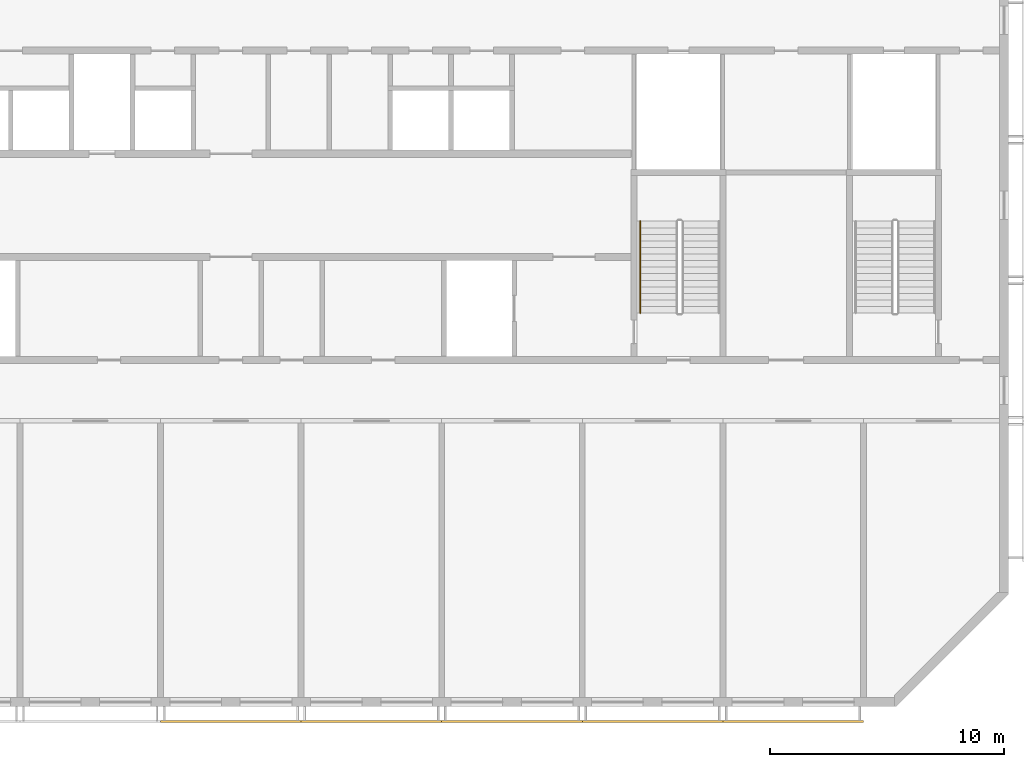
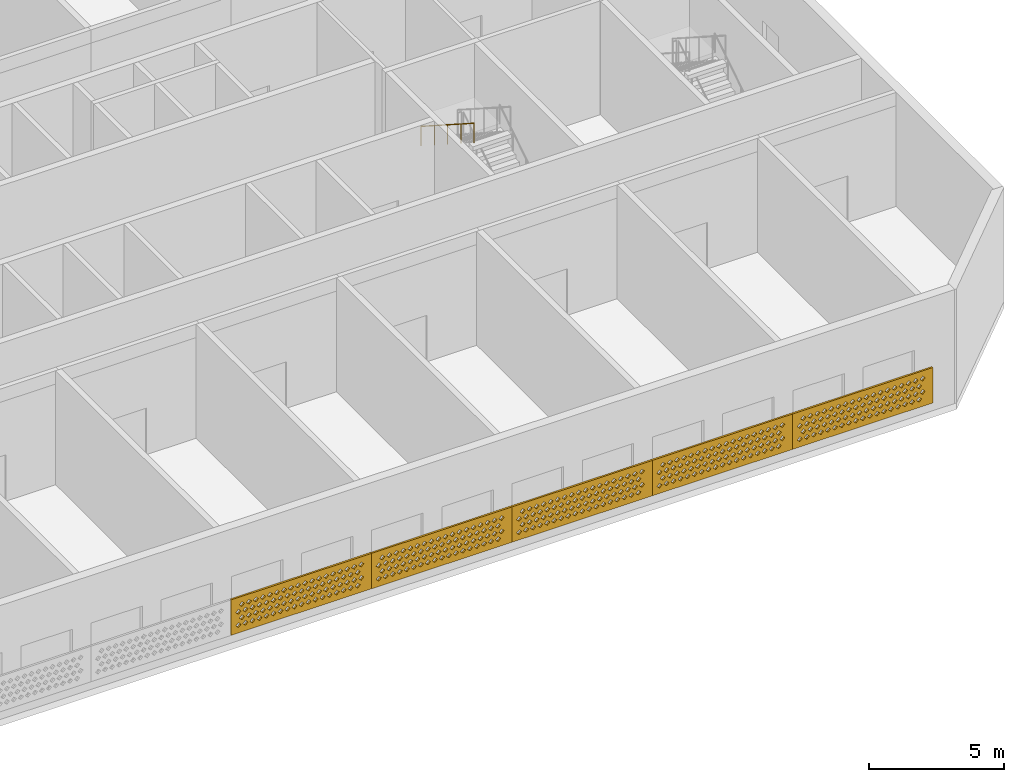
# One storey, part 14 of 18: 5 coverings, 1 railing.
"""IFC4 building model written with IfcOpenShell, lengths in metres."""

from ifc_helpers import new_model, si_unit, direction, frame, origin, origin_2d, place, context, subcontext, project, spatial, polyline, circle, outline, extrude, source, transform, mapped, material, material_profile, profile_set, type_object, element, save


model = new_model("IFC4")

# Units and contexts
model_context = context("Model", 3, precision=1e-05, world=origin(), true_north=direction((0.0, 1.0)))
body_context = subcontext(model_context, "Body", "Model", "MODEL_VIEW")
ifc_project = project(units=[si_unit("LENGTHUNIT", "METRE"), si_unit("AREAUNIT", "SQUARE_METRE"), si_unit("VOLUMEUNIT", "CUBIC_METRE"), si_unit("PLANEANGLEUNIT", "RADIAN"), si_unit("MASSUNIT", "GRAM", prefix="KILO")], contexts=[model_context])

# Site, building, storey
site_placement = place(None, origin())
site = spatial("IfcSite", under=ifc_project, at=site_placement, CompositionType="ELEMENT")
building_placement = place(site_placement, origin())
building = spatial("IfcBuilding", under=site, at=building_placement, Name="Poui Terraces", CompositionType="ELEMENT")
storey_placement = place(building_placement, frame((0.0, 0.0, 267.0)))
storey = spatial("IfcBuildingStorey", under=building, at=storey_placement, Name="L74", CompositionType="ELEMENT", Elevation=267.0)

# Railing
ifc_material_1 = material(Name="Stainless steel handrail", Category="steel")
railing_type = type_object("IfcRailingType", Name="STAIR HANDRAIL 900", PredefinedType="HANDRAIL", material=ifc_material_1)
railing_placement = place(storey_placement, frame((68.47509765625, 20.52001953125, 2.8798828125)))
element("IfcRailing", 1, at=railing_placement, inside=storey, type_object=railing_type, Name="L74 ST-CE stair handrail 2", PredefinedType="HANDRAIL", context=body_context, shape_type="SweptSolid", body=[
    extrude(circle(Radius=0.02392578125, at=origin_2d()), frame((0.0, 0.0, 0.8759765625), z_axis=(0.0, -0.841171666519, 0.540768182723), x_axis=(1.0, 0.0, 0.0)), (0.0, 0.0, 1.0), 4.66015625),
    extrude(circle(Radius=0.02099609375, at=origin_2d()), origin(), (0.0, 0.0, 1.0), 0.851806640625),
    extrude(circle(Radius=0.02099609375, at=origin_2d()), frame((0.0, -0.97998046875, 0.6298828125)), (0.0, 0.0, 1.0), 0.851806640625),
    extrude(circle(Radius=0.02099609375, at=origin_2d()), frame((0.0, -1.9599609375, 1.260009765625)), (0.0, 0.0, 1.0), 0.851806640625),
    extrude(circle(Radius=0.02099609375, at=origin_2d()), frame((0.0, -2.93994140625, 1.89013671875)), (0.0, 0.0, 1.0), 0.851806640625),
    extrude(circle(Radius=0.02099609375, at=origin_2d()), frame((0.0, -3.919921875, 2.52001953125)), (0.0, 0.0, 1.0), 0.851806640625),
])

# Coverings
ifc_material_2 = material(Name="Terracotta screen", Category="masonry")
ifc_material_profile = material_profile(ifc_material_2, outline(polyline([(-3.0, -0.800048828125), (3.0, -0.800048828125), (3.0, 0.800048828125), (-3.0, 0.800048828125), (-3.0, -0.800048828125)]), holes=[polyline([(-2.800048828125, -0.449951171875), (-2.68994140625, -0.56005859375), (-2.580078125, -0.449951171875), (-2.68994140625, -0.340087890625), (-2.800048828125, -0.449951171875)]), polyline([(-2.5, -0.449951171875), (-2.389892578125, -0.56005859375), (-2.280029296875, -0.449951171875), (-2.389892578125, -0.340087890625), (-2.5, -0.449951171875)]), polyline([(-2.199951171875, -0.449951171875), (-2.090087890625, -0.56005859375), (-1.97998046875, -0.449951171875), (-2.090087890625, -0.340087890625), (-2.199951171875, -0.449951171875)]), polyline([(-1.89990234375, -0.449951171875), (-1.7900390625, -0.56005859375), (-1.679931640625, -0.449951171875), (-1.7900390625, -0.340087890625), (-1.89990234375, -0.449951171875)]), polyline([(-1.60009765625, -0.449951171875), (-1.489990234375, -0.56005859375), (-1.3798828125, -0.449951171875), (-1.489990234375, -0.340087890625), (-1.60009765625, -0.449951171875)]), polyline([(-1.300048828125, -0.449951171875), (-1.18994140625, -0.56005859375), (-1.080078125, -0.449951171875), (-1.18994140625, -0.340087890625), (-1.300048828125, -0.449951171875)]), polyline([(-1.0, -0.449951171875), (-0.889892578125, -0.56005859375), (-0.780029296875, -0.449951171875), (-0.889892578125, -0.340087890625), (-1.0, -0.449951171875)]), polyline([(-0.699951171875, -0.449951171875), (-0.590087890625, -0.56005859375), (-0.47998046875, -0.449951171875), (-0.590087890625, -0.340087890625), (-0.699951171875, -0.449951171875)]), polyline([(-0.39990234375, -0.449951171875), (-0.2900390625, -0.56005859375), (-0.179931640625, -0.449951171875), (-0.2900390625, -0.340087890625), (-0.39990234375, -0.449951171875)]), polyline([(-0.10009765625, -0.449951171875), (0.010009765625, -0.56005859375), (0.1201171875, -0.449951171875), (0.010009765625, -0.340087890625), (-0.10009765625, -0.449951171875)]), polyline([(0.199951171875, -0.449951171875), (0.31005859375, -0.56005859375), (0.419921875, -0.449951171875), (0.31005859375, -0.340087890625), (0.199951171875, -0.449951171875)]), polyline([(0.5, -0.449951171875), (0.610107421875, -0.56005859375), (0.719970703125, -0.449951171875), (0.610107421875, -0.340087890625), (0.5, -0.449951171875)]), polyline([(0.800048828125, -0.449951171875), (0.909912109375, -0.56005859375), (1.02001953125, -0.449951171875), (0.909912109375, -0.340087890625), (0.800048828125, -0.449951171875)]), polyline([(1.10009765625, -0.449951171875), (1.2099609375, -0.56005859375), (1.320068359375, -0.449951171875), (1.2099609375, -0.340087890625), (1.10009765625, -0.449951171875)]), polyline([(1.39990234375, -0.449951171875), (1.510009765625, -0.56005859375), (1.6201171875, -0.449951171875), (1.510009765625, -0.340087890625), (1.39990234375, -0.449951171875)]), polyline([(1.699951171875, -0.449951171875), (1.81005859375, -0.56005859375), (1.919921875, -0.449951171875), (1.81005859375, -0.340087890625), (1.699951171875, -0.449951171875)]), polyline([(2.0, -0.449951171875), (2.110107421875, -0.56005859375), (2.219970703125, -0.449951171875), (2.110107421875, -0.340087890625), (2.0, -0.449951171875)]), polyline([(2.300048828125, -0.449951171875), (2.409912109375, -0.56005859375), (2.52001953125, -0.449951171875), (2.409912109375, -0.340087890625), (2.300048828125, -0.449951171875)]), polyline([(-2.64990234375, -0.14990234375), (-2.5400390625, -0.260009765625), (-2.429931640625, -0.14990234375), (-2.5400390625, -0.0400390625), (-2.64990234375, -0.14990234375)]), polyline([(-2.35009765625, -0.14990234375), (-2.239990234375, -0.260009765625), (-2.1298828125, -0.14990234375), (-2.239990234375, -0.0400390625), (-2.35009765625, -0.14990234375)]), polyline([(-2.050048828125, -0.14990234375), (-1.93994140625, -0.260009765625), (-1.830078125, -0.14990234375), (-1.93994140625, -0.0400390625), (-2.050048828125, -0.14990234375)]), polyline([(-1.75, -0.14990234375), (-1.639892578125, -0.260009765625), (-1.530029296875, -0.14990234375), (-1.639892578125, -0.0400390625), (-1.75, -0.14990234375)]), polyline([(-1.449951171875, -0.14990234375), (-1.340087890625, -0.260009765625), (-1.22998046875, -0.14990234375), (-1.340087890625, -0.0400390625), (-1.449951171875, -0.14990234375)]), polyline([(-1.14990234375, -0.14990234375), (-1.0400390625, -0.260009765625), (-0.929931640625, -0.14990234375), (-1.0400390625, -0.0400390625), (-1.14990234375, -0.14990234375)]), polyline([(-0.85009765625, -0.14990234375), (-0.739990234375, -0.260009765625), (-0.6298828125, -0.14990234375), (-0.739990234375, -0.0400390625), (-0.85009765625, -0.14990234375)]), polyline([(-0.550048828125, -0.14990234375), (-0.43994140625, -0.260009765625), (-0.330078125, -0.14990234375), (-0.43994140625, -0.0400390625), (-0.550048828125, -0.14990234375)]), polyline([(-0.25, -0.14990234375), (-0.139892578125, -0.260009765625), (-0.030029296875, -0.14990234375), (-0.139892578125, -0.0400390625), (-0.25, -0.14990234375)]), polyline([(0.050048828125, -0.14990234375), (0.159912109375, -0.260009765625), (0.27001953125, -0.14990234375), (0.159912109375, -0.0400390625), (0.050048828125, -0.14990234375)]), polyline([(0.35009765625, -0.14990234375), (0.4599609375, -0.260009765625), (0.570068359375, -0.14990234375), (0.4599609375, -0.0400390625), (0.35009765625, -0.14990234375)]), polyline([(0.64990234375, -0.14990234375), (0.760009765625, -0.260009765625), (0.8701171875, -0.14990234375), (0.760009765625, -0.0400390625), (0.64990234375, -0.14990234375)]), polyline([(0.949951171875, -0.14990234375), (1.06005859375, -0.260009765625), (1.169921875, -0.14990234375), (1.06005859375, -0.0400390625), (0.949951171875, -0.14990234375)]), polyline([(1.25, -0.14990234375), (1.360107421875, -0.260009765625), (1.469970703125, -0.14990234375), (1.360107421875, -0.0400390625), (1.25, -0.14990234375)]), polyline([(1.550048828125, -0.14990234375), (1.659912109375, -0.260009765625), (1.77001953125, -0.14990234375), (1.659912109375, -0.0400390625), (1.550048828125, -0.14990234375)]), polyline([(1.85009765625, -0.14990234375), (1.9599609375, -0.260009765625), (2.070068359375, -0.14990234375), (1.9599609375, -0.0400390625), (1.85009765625, -0.14990234375)]), polyline([(2.14990234375, -0.14990234375), (2.260009765625, -0.260009765625), (2.3701171875, -0.14990234375), (2.260009765625, -0.0400390625), (2.14990234375, -0.14990234375)]), polyline([(2.449951171875, -0.14990234375), (2.56005859375, -0.260009765625), (2.669921875, -0.14990234375), (2.56005859375, -0.0400390625), (2.449951171875, -0.14990234375)]), polyline([(-2.800048828125, 0.14990234375), (-2.68994140625, 0.0400390625), (-2.580078125, 0.14990234375), (-2.68994140625, 0.260009765625), (-2.800048828125, 0.14990234375)]), polyline([(-2.5, 0.14990234375), (-2.389892578125, 0.0400390625), (-2.280029296875, 0.14990234375), (-2.389892578125, 0.260009765625), (-2.5, 0.14990234375)]), polyline([(-2.199951171875, 0.14990234375), (-2.090087890625, 0.0400390625), (-1.97998046875, 0.14990234375), (-2.090087890625, 0.260009765625), (-2.199951171875, 0.14990234375)]), polyline([(-1.89990234375, 0.14990234375), (-1.7900390625, 0.0400390625), (-1.679931640625, 0.14990234375), (-1.7900390625, 0.260009765625), (-1.89990234375, 0.14990234375)]), polyline([(-1.60009765625, 0.14990234375), (-1.489990234375, 0.0400390625), (-1.3798828125, 0.14990234375), (-1.489990234375, 0.260009765625), (-1.60009765625, 0.14990234375)]), polyline([(-1.300048828125, 0.14990234375), (-1.18994140625, 0.0400390625), (-1.080078125, 0.14990234375), (-1.18994140625, 0.260009765625), (-1.300048828125, 0.14990234375)]), polyline([(-1.0, 0.14990234375), (-0.889892578125, 0.0400390625), (-0.780029296875, 0.14990234375), (-0.889892578125, 0.260009765625), (-1.0, 0.14990234375)]), polyline([(-0.699951171875, 0.14990234375), (-0.590087890625, 0.0400390625), (-0.47998046875, 0.14990234375), (-0.590087890625, 0.260009765625), (-0.699951171875, 0.14990234375)]), polyline([(-0.39990234375, 0.14990234375), (-0.2900390625, 0.0400390625), (-0.179931640625, 0.14990234375), (-0.2900390625, 0.260009765625), (-0.39990234375, 0.14990234375)]), polyline([(-0.10009765625, 0.14990234375), (0.010009765625, 0.0400390625), (0.1201171875, 0.14990234375), (0.010009765625, 0.260009765625), (-0.10009765625, 0.14990234375)]), polyline([(0.199951171875, 0.14990234375), (0.31005859375, 0.0400390625), (0.419921875, 0.14990234375), (0.31005859375, 0.260009765625), (0.199951171875, 0.14990234375)]), polyline([(0.5, 0.14990234375), (0.610107421875, 0.0400390625), (0.719970703125, 0.14990234375), (0.610107421875, 0.260009765625), (0.5, 0.14990234375)]), polyline([(0.800048828125, 0.14990234375), (0.909912109375, 0.0400390625), (1.02001953125, 0.14990234375), (0.909912109375, 0.260009765625), (0.800048828125, 0.14990234375)]), polyline([(1.10009765625, 0.14990234375), (1.2099609375, 0.0400390625), (1.320068359375, 0.14990234375), (1.2099609375, 0.260009765625), (1.10009765625, 0.14990234375)]), polyline([(1.39990234375, 0.14990234375), (1.510009765625, 0.0400390625), (1.6201171875, 0.14990234375), (1.510009765625, 0.260009765625), (1.39990234375, 0.14990234375)]), polyline([(1.699951171875, 0.14990234375), (1.81005859375, 0.0400390625), (1.919921875, 0.14990234375), (1.81005859375, 0.260009765625), (1.699951171875, 0.14990234375)]), polyline([(2.0, 0.14990234375), (2.110107421875, 0.0400390625), (2.219970703125, 0.14990234375), (2.110107421875, 0.260009765625), (2.0, 0.14990234375)]), polyline([(2.300048828125, 0.14990234375), (2.409912109375, 0.0400390625), (2.52001953125, 0.14990234375), (2.409912109375, 0.260009765625), (2.300048828125, 0.14990234375)]), polyline([(-2.64990234375, 0.449951171875), (-2.5400390625, 0.340087890625), (-2.429931640625, 0.449951171875), (-2.5400390625, 0.56005859375), (-2.64990234375, 0.449951171875)]), polyline([(-2.35009765625, 0.449951171875), (-2.239990234375, 0.340087890625), (-2.1298828125, 0.449951171875), (-2.239990234375, 0.56005859375), (-2.35009765625, 0.449951171875)]), polyline([(-2.050048828125, 0.449951171875), (-1.93994140625, 0.340087890625), (-1.830078125, 0.449951171875), (-1.93994140625, 0.56005859375), (-2.050048828125, 0.449951171875)]), polyline([(-1.75, 0.449951171875), (-1.639892578125, 0.340087890625), (-1.530029296875, 0.449951171875), (-1.639892578125, 0.56005859375), (-1.75, 0.449951171875)]), polyline([(-1.449951171875, 0.449951171875), (-1.340087890625, 0.340087890625), (-1.22998046875, 0.449951171875), (-1.340087890625, 0.56005859375), (-1.449951171875, 0.449951171875)]), polyline([(-1.14990234375, 0.449951171875), (-1.0400390625, 0.340087890625), (-0.929931640625, 0.449951171875), (-1.0400390625, 0.56005859375), (-1.14990234375, 0.449951171875)]), polyline([(-0.85009765625, 0.449951171875), (-0.739990234375, 0.340087890625), (-0.6298828125, 0.449951171875), (-0.739990234375, 0.56005859375), (-0.85009765625, 0.449951171875)]), polyline([(-0.550048828125, 0.449951171875), (-0.43994140625, 0.340087890625), (-0.330078125, 0.449951171875), (-0.43994140625, 0.56005859375), (-0.550048828125, 0.449951171875)]), polyline([(-0.25, 0.449951171875), (-0.139892578125, 0.340087890625), (-0.030029296875, 0.449951171875), (-0.139892578125, 0.56005859375), (-0.25, 0.449951171875)]), polyline([(0.050048828125, 0.449951171875), (0.159912109375, 0.340087890625), (0.27001953125, 0.449951171875), (0.159912109375, 0.56005859375), (0.050048828125, 0.449951171875)]), polyline([(0.35009765625, 0.449951171875), (0.4599609375, 0.340087890625), (0.570068359375, 0.449951171875), (0.4599609375, 0.56005859375), (0.35009765625, 0.449951171875)]), polyline([(0.64990234375, 0.449951171875), (0.760009765625, 0.340087890625), (0.8701171875, 0.449951171875), (0.760009765625, 0.56005859375), (0.64990234375, 0.449951171875)]), polyline([(0.949951171875, 0.449951171875), (1.06005859375, 0.340087890625), (1.169921875, 0.449951171875), (1.06005859375, 0.56005859375), (0.949951171875, 0.449951171875)]), polyline([(1.25, 0.449951171875), (1.360107421875, 0.340087890625), (1.469970703125, 0.449951171875), (1.360107421875, 0.56005859375), (1.25, 0.449951171875)]), polyline([(1.550048828125, 0.449951171875), (1.659912109375, 0.340087890625), (1.77001953125, 0.449951171875), (1.659912109375, 0.56005859375), (1.550048828125, 0.449951171875)]), polyline([(1.85009765625, 0.449951171875), (1.9599609375, 0.340087890625), (2.070068359375, 0.449951171875), (1.9599609375, 0.56005859375), (1.85009765625, 0.449951171875)]), polyline([(2.14990234375, 0.449951171875), (2.260009765625, 0.340087890625), (2.3701171875, 0.449951171875), (2.260009765625, 0.56005859375), (2.14990234375, 0.449951171875)]), polyline([(2.449951171875, 0.449951171875), (2.56005859375, 0.340087890625), (2.669921875, 0.449951171875), (2.56005859375, 0.56005859375), (2.449951171875, 0.449951171875)])]), Name="TERRACOTTA SOLAR SCREEN 6000X1600")
ifc_profile_set = profile_set([ifc_material_profile], Name="Terracotta screen")
covering_type = type_object("IfcCoveringType", Name="TERRACOTTA SOLAR SCREEN 6000X1600", PredefinedType="CLADDING", material=ifc_profile_set)
shared_shape = source(origin(), body_context, "Body", "SweptSolid", [
    extrude(outline(polyline([(-3.0, -0.800048828125), (3.0, -0.800048828125), (3.0, 0.800048828125), (-3.0, 0.800048828125), (-3.0, -0.800048828125)]), holes=[polyline([(-2.800048828125, -0.449951171875), (-2.68994140625, -0.56005859375), (-2.580078125, -0.449951171875), (-2.68994140625, -0.340087890625), (-2.800048828125, -0.449951171875)]), polyline([(-2.5, -0.449951171875), (-2.389892578125, -0.56005859375), (-2.280029296875, -0.449951171875), (-2.389892578125, -0.340087890625), (-2.5, -0.449951171875)]), polyline([(-2.199951171875, -0.449951171875), (-2.090087890625, -0.56005859375), (-1.97998046875, -0.449951171875), (-2.090087890625, -0.340087890625), (-2.199951171875, -0.449951171875)]), polyline([(-1.89990234375, -0.449951171875), (-1.7900390625, -0.56005859375), (-1.679931640625, -0.449951171875), (-1.7900390625, -0.340087890625), (-1.89990234375, -0.449951171875)]), polyline([(-1.60009765625, -0.449951171875), (-1.489990234375, -0.56005859375), (-1.3798828125, -0.449951171875), (-1.489990234375, -0.340087890625), (-1.60009765625, -0.449951171875)]), polyline([(-1.300048828125, -0.449951171875), (-1.18994140625, -0.56005859375), (-1.080078125, -0.449951171875), (-1.18994140625, -0.340087890625), (-1.300048828125, -0.449951171875)]), polyline([(-1.0, -0.449951171875), (-0.889892578125, -0.56005859375), (-0.780029296875, -0.449951171875), (-0.889892578125, -0.340087890625), (-1.0, -0.449951171875)]), polyline([(-0.699951171875, -0.449951171875), (-0.590087890625, -0.56005859375), (-0.47998046875, -0.449951171875), (-0.590087890625, -0.340087890625), (-0.699951171875, -0.449951171875)]), polyline([(-0.39990234375, -0.449951171875), (-0.2900390625, -0.56005859375), (-0.179931640625, -0.449951171875), (-0.2900390625, -0.340087890625), (-0.39990234375, -0.449951171875)]), polyline([(-0.10009765625, -0.449951171875), (0.010009765625, -0.56005859375), (0.1201171875, -0.449951171875), (0.010009765625, -0.340087890625), (-0.10009765625, -0.449951171875)]), polyline([(0.199951171875, -0.449951171875), (0.31005859375, -0.56005859375), (0.419921875, -0.449951171875), (0.31005859375, -0.340087890625), (0.199951171875, -0.449951171875)]), polyline([(0.5, -0.449951171875), (0.610107421875, -0.56005859375), (0.719970703125, -0.449951171875), (0.610107421875, -0.340087890625), (0.5, -0.449951171875)]), polyline([(0.800048828125, -0.449951171875), (0.909912109375, -0.56005859375), (1.02001953125, -0.449951171875), (0.909912109375, -0.340087890625), (0.800048828125, -0.449951171875)]), polyline([(1.10009765625, -0.449951171875), (1.2099609375, -0.56005859375), (1.320068359375, -0.449951171875), (1.2099609375, -0.340087890625), (1.10009765625, -0.449951171875)]), polyline([(1.39990234375, -0.449951171875), (1.510009765625, -0.56005859375), (1.6201171875, -0.449951171875), (1.510009765625, -0.340087890625), (1.39990234375, -0.449951171875)]), polyline([(1.699951171875, -0.449951171875), (1.81005859375, -0.56005859375), (1.919921875, -0.449951171875), (1.81005859375, -0.340087890625), (1.699951171875, -0.449951171875)]), polyline([(2.0, -0.449951171875), (2.110107421875, -0.56005859375), (2.219970703125, -0.449951171875), (2.110107421875, -0.340087890625), (2.0, -0.449951171875)]), polyline([(2.300048828125, -0.449951171875), (2.409912109375, -0.56005859375), (2.52001953125, -0.449951171875), (2.409912109375, -0.340087890625), (2.300048828125, -0.449951171875)]), polyline([(-2.64990234375, -0.14990234375), (-2.5400390625, -0.260009765625), (-2.429931640625, -0.14990234375), (-2.5400390625, -0.0400390625), (-2.64990234375, -0.14990234375)]), polyline([(-2.35009765625, -0.14990234375), (-2.239990234375, -0.260009765625), (-2.1298828125, -0.14990234375), (-2.239990234375, -0.0400390625), (-2.35009765625, -0.14990234375)]), polyline([(-2.050048828125, -0.14990234375), (-1.93994140625, -0.260009765625), (-1.830078125, -0.14990234375), (-1.93994140625, -0.0400390625), (-2.050048828125, -0.14990234375)]), polyline([(-1.75, -0.14990234375), (-1.639892578125, -0.260009765625), (-1.530029296875, -0.14990234375), (-1.639892578125, -0.0400390625), (-1.75, -0.14990234375)]), polyline([(-1.449951171875, -0.14990234375), (-1.340087890625, -0.260009765625), (-1.22998046875, -0.14990234375), (-1.340087890625, -0.0400390625), (-1.449951171875, -0.14990234375)]), polyline([(-1.14990234375, -0.14990234375), (-1.0400390625, -0.260009765625), (-0.929931640625, -0.14990234375), (-1.0400390625, -0.0400390625), (-1.14990234375, -0.14990234375)]), polyline([(-0.85009765625, -0.14990234375), (-0.739990234375, -0.260009765625), (-0.6298828125, -0.14990234375), (-0.739990234375, -0.0400390625), (-0.85009765625, -0.14990234375)]), polyline([(-0.550048828125, -0.14990234375), (-0.43994140625, -0.260009765625), (-0.330078125, -0.14990234375), (-0.43994140625, -0.0400390625), (-0.550048828125, -0.14990234375)]), polyline([(-0.25, -0.14990234375), (-0.139892578125, -0.260009765625), (-0.030029296875, -0.14990234375), (-0.139892578125, -0.0400390625), (-0.25, -0.14990234375)]), polyline([(0.050048828125, -0.14990234375), (0.159912109375, -0.260009765625), (0.27001953125, -0.14990234375), (0.159912109375, -0.0400390625), (0.050048828125, -0.14990234375)]), polyline([(0.35009765625, -0.14990234375), (0.4599609375, -0.260009765625), (0.570068359375, -0.14990234375), (0.4599609375, -0.0400390625), (0.35009765625, -0.14990234375)]), polyline([(0.64990234375, -0.14990234375), (0.760009765625, -0.260009765625), (0.8701171875, -0.14990234375), (0.760009765625, -0.0400390625), (0.64990234375, -0.14990234375)]), polyline([(0.949951171875, -0.14990234375), (1.06005859375, -0.260009765625), (1.169921875, -0.14990234375), (1.06005859375, -0.0400390625), (0.949951171875, -0.14990234375)]), polyline([(1.25, -0.14990234375), (1.360107421875, -0.260009765625), (1.469970703125, -0.14990234375), (1.360107421875, -0.0400390625), (1.25, -0.14990234375)]), polyline([(1.550048828125, -0.14990234375), (1.659912109375, -0.260009765625), (1.77001953125, -0.14990234375), (1.659912109375, -0.0400390625), (1.550048828125, -0.14990234375)]), polyline([(1.85009765625, -0.14990234375), (1.9599609375, -0.260009765625), (2.070068359375, -0.14990234375), (1.9599609375, -0.0400390625), (1.85009765625, -0.14990234375)]), polyline([(2.14990234375, -0.14990234375), (2.260009765625, -0.260009765625), (2.3701171875, -0.14990234375), (2.260009765625, -0.0400390625), (2.14990234375, -0.14990234375)]), polyline([(2.449951171875, -0.14990234375), (2.56005859375, -0.260009765625), (2.669921875, -0.14990234375), (2.56005859375, -0.0400390625), (2.449951171875, -0.14990234375)]), polyline([(-2.800048828125, 0.14990234375), (-2.68994140625, 0.0400390625), (-2.580078125, 0.14990234375), (-2.68994140625, 0.260009765625), (-2.800048828125, 0.14990234375)]), polyline([(-2.5, 0.14990234375), (-2.389892578125, 0.0400390625), (-2.280029296875, 0.14990234375), (-2.389892578125, 0.260009765625), (-2.5, 0.14990234375)]), polyline([(-2.199951171875, 0.14990234375), (-2.090087890625, 0.0400390625), (-1.97998046875, 0.14990234375), (-2.090087890625, 0.260009765625), (-2.199951171875, 0.14990234375)]), polyline([(-1.89990234375, 0.14990234375), (-1.7900390625, 0.0400390625), (-1.679931640625, 0.14990234375), (-1.7900390625, 0.260009765625), (-1.89990234375, 0.14990234375)]), polyline([(-1.60009765625, 0.14990234375), (-1.489990234375, 0.0400390625), (-1.3798828125, 0.14990234375), (-1.489990234375, 0.260009765625), (-1.60009765625, 0.14990234375)]), polyline([(-1.300048828125, 0.14990234375), (-1.18994140625, 0.0400390625), (-1.080078125, 0.14990234375), (-1.18994140625, 0.260009765625), (-1.300048828125, 0.14990234375)]), polyline([(-1.0, 0.14990234375), (-0.889892578125, 0.0400390625), (-0.780029296875, 0.14990234375), (-0.889892578125, 0.260009765625), (-1.0, 0.14990234375)]), polyline([(-0.699951171875, 0.14990234375), (-0.590087890625, 0.0400390625), (-0.47998046875, 0.14990234375), (-0.590087890625, 0.260009765625), (-0.699951171875, 0.14990234375)]), polyline([(-0.39990234375, 0.14990234375), (-0.2900390625, 0.0400390625), (-0.179931640625, 0.14990234375), (-0.2900390625, 0.260009765625), (-0.39990234375, 0.14990234375)]), polyline([(-0.10009765625, 0.14990234375), (0.010009765625, 0.0400390625), (0.1201171875, 0.14990234375), (0.010009765625, 0.260009765625), (-0.10009765625, 0.14990234375)]), polyline([(0.199951171875, 0.14990234375), (0.31005859375, 0.0400390625), (0.419921875, 0.14990234375), (0.31005859375, 0.260009765625), (0.199951171875, 0.14990234375)]), polyline([(0.5, 0.14990234375), (0.610107421875, 0.0400390625), (0.719970703125, 0.14990234375), (0.610107421875, 0.260009765625), (0.5, 0.14990234375)]), polyline([(0.800048828125, 0.14990234375), (0.909912109375, 0.0400390625), (1.02001953125, 0.14990234375), (0.909912109375, 0.260009765625), (0.800048828125, 0.14990234375)]), polyline([(1.10009765625, 0.14990234375), (1.2099609375, 0.0400390625), (1.320068359375, 0.14990234375), (1.2099609375, 0.260009765625), (1.10009765625, 0.14990234375)]), polyline([(1.39990234375, 0.14990234375), (1.510009765625, 0.0400390625), (1.6201171875, 0.14990234375), (1.510009765625, 0.260009765625), (1.39990234375, 0.14990234375)]), polyline([(1.699951171875, 0.14990234375), (1.81005859375, 0.0400390625), (1.919921875, 0.14990234375), (1.81005859375, 0.260009765625), (1.699951171875, 0.14990234375)]), polyline([(2.0, 0.14990234375), (2.110107421875, 0.0400390625), (2.219970703125, 0.14990234375), (2.110107421875, 0.260009765625), (2.0, 0.14990234375)]), polyline([(2.300048828125, 0.14990234375), (2.409912109375, 0.0400390625), (2.52001953125, 0.14990234375), (2.409912109375, 0.260009765625), (2.300048828125, 0.14990234375)]), polyline([(-2.64990234375, 0.449951171875), (-2.5400390625, 0.340087890625), (-2.429931640625, 0.449951171875), (-2.5400390625, 0.56005859375), (-2.64990234375, 0.449951171875)]), polyline([(-2.35009765625, 0.449951171875), (-2.239990234375, 0.340087890625), (-2.1298828125, 0.449951171875), (-2.239990234375, 0.56005859375), (-2.35009765625, 0.449951171875)]), polyline([(-2.050048828125, 0.449951171875), (-1.93994140625, 0.340087890625), (-1.830078125, 0.449951171875), (-1.93994140625, 0.56005859375), (-2.050048828125, 0.449951171875)]), polyline([(-1.75, 0.449951171875), (-1.639892578125, 0.340087890625), (-1.530029296875, 0.449951171875), (-1.639892578125, 0.56005859375), (-1.75, 0.449951171875)]), polyline([(-1.449951171875, 0.449951171875), (-1.340087890625, 0.340087890625), (-1.22998046875, 0.449951171875), (-1.340087890625, 0.56005859375), (-1.449951171875, 0.449951171875)]), polyline([(-1.14990234375, 0.449951171875), (-1.0400390625, 0.340087890625), (-0.929931640625, 0.449951171875), (-1.0400390625, 0.56005859375), (-1.14990234375, 0.449951171875)]), polyline([(-0.85009765625, 0.449951171875), (-0.739990234375, 0.340087890625), (-0.6298828125, 0.449951171875), (-0.739990234375, 0.56005859375), (-0.85009765625, 0.449951171875)]), polyline([(-0.550048828125, 0.449951171875), (-0.43994140625, 0.340087890625), (-0.330078125, 0.449951171875), (-0.43994140625, 0.56005859375), (-0.550048828125, 0.449951171875)]), polyline([(-0.25, 0.449951171875), (-0.139892578125, 0.340087890625), (-0.030029296875, 0.449951171875), (-0.139892578125, 0.56005859375), (-0.25, 0.449951171875)]), polyline([(0.050048828125, 0.449951171875), (0.159912109375, 0.340087890625), (0.27001953125, 0.449951171875), (0.159912109375, 0.56005859375), (0.050048828125, 0.449951171875)]), polyline([(0.35009765625, 0.449951171875), (0.4599609375, 0.340087890625), (0.570068359375, 0.449951171875), (0.4599609375, 0.56005859375), (0.35009765625, 0.449951171875)]), polyline([(0.64990234375, 0.449951171875), (0.760009765625, 0.340087890625), (0.8701171875, 0.449951171875), (0.760009765625, 0.56005859375), (0.64990234375, 0.449951171875)]), polyline([(0.949951171875, 0.449951171875), (1.06005859375, 0.340087890625), (1.169921875, 0.449951171875), (1.06005859375, 0.56005859375), (0.949951171875, 0.449951171875)]), polyline([(1.25, 0.449951171875), (1.360107421875, 0.340087890625), (1.469970703125, 0.449951171875), (1.360107421875, 0.56005859375), (1.25, 0.449951171875)]), polyline([(1.550048828125, 0.449951171875), (1.659912109375, 0.340087890625), (1.77001953125, 0.449951171875), (1.659912109375, 0.56005859375), (1.550048828125, 0.449951171875)]), polyline([(1.85009765625, 0.449951171875), (1.9599609375, 0.340087890625), (2.070068359375, 0.449951171875), (1.9599609375, 0.56005859375), (1.85009765625, 0.449951171875)]), polyline([(2.14990234375, 0.449951171875), (2.260009765625, 0.340087890625), (2.3701171875, 0.449951171875), (2.260009765625, 0.56005859375), (2.14990234375, 0.449951171875)]), polyline([(2.449951171875, 0.449951171875), (2.56005859375, 0.340087890625), (2.669921875, 0.449951171875), (2.56005859375, 0.56005859375), (2.449951171875, 0.449951171875)])]), origin(), (0.0, 0.0, 1.0), 0.079833984375),
])
for number, where, z_axis, x_axis, name in (
    (2, (51.0, -0.800048828125, 1.699951171875), (0.0, -1.0, 0.0), (1.0, 0.0, 0.0), "SOLAR SCREEN"),
    (3, (57.0, -0.800048828125, 1.699951171875), (0.0, -1.0, 0.0), (1.0, 0.0, 0.0), "SOLAR SCREEN"),
    (4, (63.0, -0.800048828125, 1.699951171875), (0.0, -1.0, 0.0), (1.0, 0.0, 0.0), "SOLAR SCREEN"),
    (5, (69.0, -0.800048828125, 1.699951171875), (0.0, -1.0, 0.0), (1.0, 0.0, 0.0), "SOLAR SCREEN"),
    (6, (75.0, -0.800048828125, 1.699951171875), (0.0, -1.0, 0.0), (1.0, 0.0, 0.0), "SOLAR SCREEN"),
):
    element("IfcCovering", number, at=place(storey_placement, frame(where, z_axis=z_axis, x_axis=x_axis)), inside=storey, type_object=covering_type, Name=name, PredefinedType="CLADDING", context=body_context, shape_type="MappedRepresentation", body=[
        mapped(shared_shape, transform((0.0, 0.0, 0.0))),
    ])

save(model, "model.ifc")
